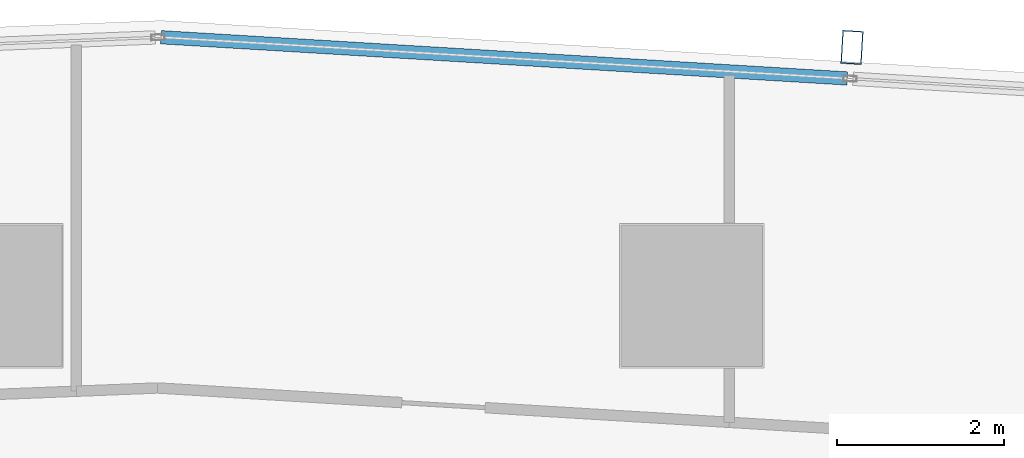
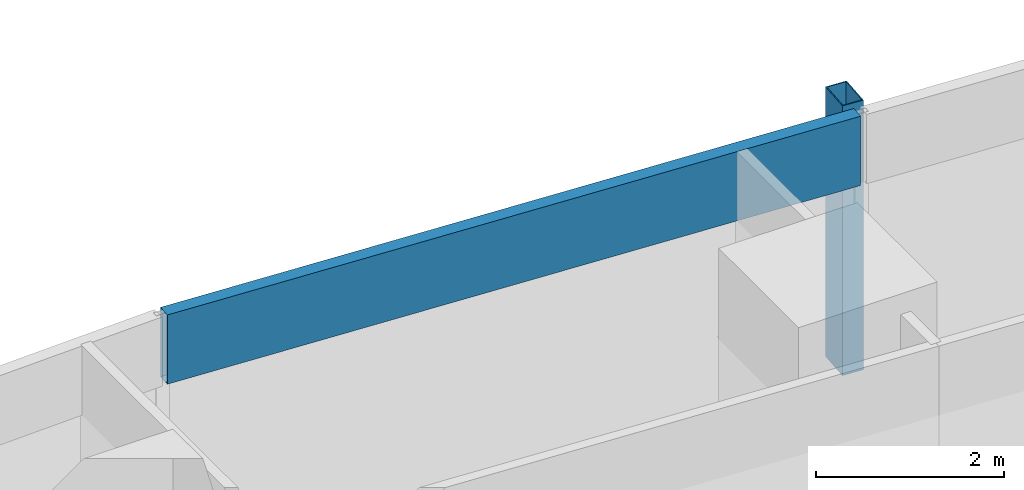
# One storey, part 24 of 40: 2 members, 1 element without a shape of its own.
"""IFC4 building model written with IfcOpenShell, lengths in metres."""

from ifc_helpers import new_model, si_unit, direction, frame, origin, origin_2d, place, context, subcontext, project, spatial, hollow_rectangle, extrude, material, material_profile, profile_set, type_object, element, aggregate, save


model = new_model("IFC4")

# Units and contexts
model_context = context("Model", 3, precision=1e-05, world=origin(), true_north=direction((0.0, 1.0)))
body_context = subcontext(model_context, "Body", "Model", "MODEL_VIEW")
ifc_project = project(units=[si_unit("LENGTHUNIT", "METRE"), si_unit("AREAUNIT", "SQUARE_METRE"), si_unit("VOLUMEUNIT", "CUBIC_METRE"), si_unit("PLANEANGLEUNIT", "RADIAN"), si_unit("MASSUNIT", "GRAM", prefix="KILO")], contexts=[model_context])

# Site, building, storey
site_placement = place(None, origin())
site = spatial("IfcSite", under=ifc_project, at=site_placement, CompositionType="ELEMENT")
building_placement = place(site_placement, origin())
building = spatial("IfcBuilding", under=site, at=building_placement, Name="Rekha Terrace Tower", CompositionType="ELEMENT")
storey_placement = place(building_placement, frame((0.0, 0.0, 129.050048828125)))
storey = spatial("IfcBuildingStorey", under=building, at=storey_placement, Name="L32", CompositionType="ELEMENT", Elevation=129.050048828125)

# Curtain wall, members
ifc_material_1 = material(Name="Aluminium framing", Category="aluminium")
curtain_wall_type = type_object("IfcCurtainWallType", Name="CW3 north unitised glazing", PredefinedType="USERDEFINED", material=ifc_material_1)
curtain_wall_placement = place(storey_placement, origin())
curtain_wall = element("IfcCurtainWall", 1, at=curtain_wall_placement, inside=storey, type_object=curtain_wall_type, Name="CW3 unitised curtain wall", ObjectType="UNITISED CURTAIN WALL", PredefinedType="USERDEFINED")
ifc_material_2 = material(Name="Steel S355 with fluorocarbon finish", Category="steel")
ifc_material_profile_1 = material_profile(ifc_material_2, hollow_rectangle(XDim=0.25, YDim=0.39990234375, WallThickness=0.012451171875, at=origin_2d()), Name="RHS400x250x12.5")
ifc_profile_set_1 = profile_set([ifc_material_profile_1], Name="Steel S355 with fluorocarbon finish")
member_type_1 = type_object("IfcMemberType", Name="BL1 facade blade RHS 400 x 250", PredefinedType="USERDEFINED", material=ifc_profile_set_1)
member_1_placement = place(storey_placement, frame((52.322265625, 61.777587890625, 0.0), z_axis=(0.0, 0.0, 1.0), x_axis=(-0.998199123409, 0.059987582268, 0.0)))
member_1 = element("IfcMember", 2, at=member_1_placement, type_object=member_type_1, Name="Facade blade", ObjectType="FACADE BLADE", PredefinedType="USERDEFINED", context=body_context, shape_type="SweptSolid", body=[
    extrude(hollow_rectangle(XDim=0.25, YDim=0.39990234375, WallThickness=0.012451171875, at=origin_2d()), origin(), (0.0, 0.0, 1.0), 3.5),
])
ifc_material_3 = material(Name="Insulated aluminium spandrel box", Category="aluminium")
ifc_material_profile_2 = material_profile(ifc_material_3, hollow_rectangle(XDim=0.159912109375, YDim=0.89990234375, WallThickness=0.0029296875, at=origin_2d()), Name="AL SPANDREL BOX 160x900")
ifc_profile_set_2 = profile_set([ifc_material_profile_2], Name="Insulated aluminium spandrel box")
member_type_2 = type_object("IfcMemberType", Name="CW3 spandrel transom 160 x 900", PredefinedType="USERDEFINED", material=ifc_profile_set_2)
member_2_placement = place(storey_placement, frame((52.2646484375, 61.4052734375, 3.050048828125), z_axis=(-0.998199102701, 0.059987926845, 0.0), x_axis=(-0.059987926845, -0.998199102701, 0.0)))
member_2 = element("IfcMember", 3, at=member_2_placement, type_object=member_type_2, Name="CW3 spandrel transom 3", ObjectType="TRANSOM", PredefinedType="USERDEFINED", context=body_context, shape_type="SweptSolid", body=[
    extrude(hollow_rectangle(XDim=0.159912109375, YDim=0.89990234375, WallThickness=0.0029296875, at=origin_2d()), origin(), (0.0, 0.0, 1.0), 8.241455078125),
])
aggregate(curtain_wall, [member_2, member_1])

save(model, "model.ifc")
